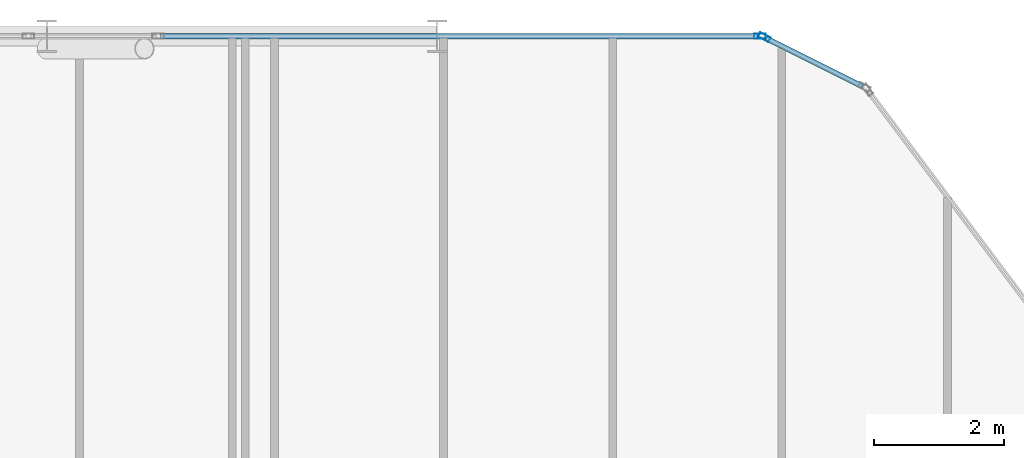
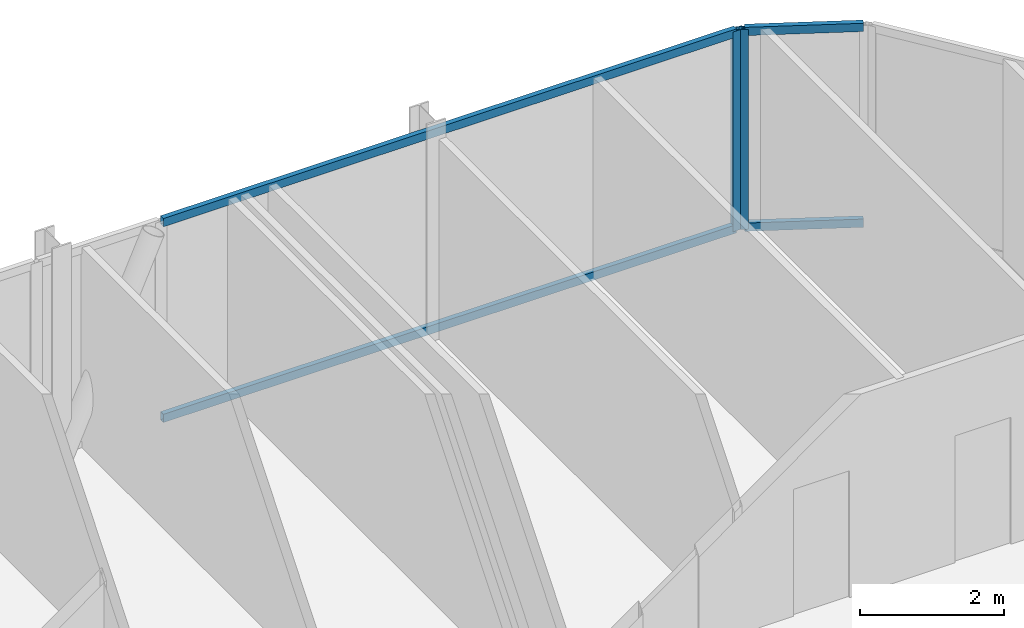
# One storey, part 21 of 32: 6 members, 2 elements without a shape of their own.
"""IFC4 building model written with IfcOpenShell, lengths in metres."""

from ifc_helpers import new_model, si_unit, direction, frame, origin, origin_2d, place, context, subcontext, project, spatial, hollow_rectangle, extrude, material, layer, layer_set, material_profile, profile_set, type_object, element, aggregate, save


model = new_model("IFC4")

# Units and contexts
model_context = context("Model", 3, precision=1e-05, world=origin(), true_north=direction((0.0, 1.0)))
body_context = subcontext(model_context, "Body", "Model", "MODEL_VIEW")
ifc_project = project(units=[si_unit("LENGTHUNIT", "METRE"), si_unit("AREAUNIT", "SQUARE_METRE"), si_unit("VOLUMEUNIT", "CUBIC_METRE"), si_unit("PLANEANGLEUNIT", "RADIAN"), si_unit("MASSUNIT", "GRAM", prefix="KILO")], contexts=[model_context])

# Site, building, storey
site_placement = place(None, origin())
site = spatial("IfcSite", under=ifc_project, at=site_placement, CompositionType="ELEMENT")
building_placement = place(site_placement, origin())
building = spatial("IfcBuilding", under=site, at=building_placement, Name="Keshet Zoharim Tower", CompositionType="ELEMENT")
storey_placement = place(building_placement, frame((0.0, 0.0, 152.0)))
storey = spatial("IfcBuildingStorey", under=building, at=storey_placement, Name="L37", CompositionType="ELEMENT", Elevation=152.0)

# Curtain wall, member
ifc_material = material(Name="Aluminium 6063-T6", Category="aluminium")
ifc_layer = layer(ifc_material, 0.159912109375)
ifc_layer_set = layer_set([ifc_layer], Name="Aluminium 6063-T6")
curtain_wall_type = type_object("IfcCurtainWallType", Name="CW-SYS-03", PredefinedType="NOTDEFINED", material=ifc_layer_set)
curtain_wall_1_placement = place(storey_placement, origin())
curtain_wall_1 = element("IfcCurtainWall", 1, at=curtain_wall_1_placement, inside=storey, type_object=curtain_wall_type, Name="L37 Unitised Curtain Wall 13 Part 5", PredefinedType="NOTDEFINED")
ifc_material_profile_1 = material_profile(ifc_material, hollow_rectangle(XDim=0.080078125, YDim=0.179931640625, WallThickness=0.00439453125, at=origin_2d()), Name="MUL-80x180")
ifc_profile_set_1 = profile_set([ifc_material_profile_1], Name="Aluminium 6063-T6")
member_type_1 = type_object("IfcMemberType", Name="CWM-M18", PredefinedType="MULLION", material=ifc_profile_set_1)
member_1_placement = place(storey_placement, frame((49.965087890625, 53.89990234375, 0.0), z_axis=(0.0, 0.0, 1.0), x_axis=(0.0, 1.0, 0.0)))
member_1 = element("IfcMember", 2, at=member_1_placement, type_object=member_type_1, Name="CW-03 mullion 2", PredefinedType="MULLION", context=body_context, shape_type="SweptSolid", body=[
    extrude(hollow_rectangle(XDim=0.080078125, YDim=0.179931640625, WallThickness=0.00439453125, at=origin_2d()), origin(), (0.0, 0.0, 1.0), 3.385009765625),
])

curtain_wall_2_placement = place(storey_placement, origin())
curtain_wall_2 = element("IfcCurtainWall", 3, at=curtain_wall_2_placement, inside=storey, type_object=curtain_wall_type, Name="L37 Unitised Curtain Wall 14", PredefinedType="NOTDEFINED")
member_2_placement = place(storey_placement, frame((50.03125, 53.88427734375, 0.0), z_axis=(0.0, 0.0, 1.0), x_axis=(0.447213595499, 0.894427191001, 0.0)))
member_2 = element("IfcMember", 4, at=member_2_placement, type_object=member_type_1, Name="CW-03 mullion 1", PredefinedType="MULLION", context=body_context, shape_type="SweptSolid", body=[
    extrude(hollow_rectangle(XDim=0.080078125, YDim=0.179931640625, WallThickness=0.00439453125, at=origin_2d()), origin(), (0.0, 0.0, 1.0), 3.385009765625),
])

# Member
ifc_material_profile_2 = material_profile(ifc_material, hollow_rectangle(XDim=0.080078125, YDim=0.139892578125, WallThickness=0.00390625, at=origin_2d()), Name="TRN-80x140")
ifc_profile_set_2 = profile_set([ifc_material_profile_2], Name="Aluminium 6063-T6")
member_type_2 = type_object("IfcMemberType", Name="CWT-T14", PredefinedType="USERDEFINED", material=ifc_profile_set_2)
member_3_placement = place(storey_placement, frame((40.748046875, 53.89990234375, 0.034912109375), z_axis=(1.0, 0.0, 0.0), x_axis=(0.0, 1.0, 0.0)))
member_3 = element("IfcMember", 5, at=member_3_placement, type_object=member_type_2, Name="CW-03 transom 1.1", ObjectType="TRANSOM", PredefinedType="USERDEFINED", context=body_context, shape_type="SweptSolid", body=[
    extrude(hollow_rectangle(XDim=0.080078125, YDim=0.139892578125, WallThickness=0.00390625, at=origin_2d()), origin(), (0.0, 0.0, 1.0), 9.181884765625),
])

member_4_placement = place(storey_placement, frame((40.748046875, 53.89990234375, 3.35009765625), z_axis=(1.0, 0.0, 0.0), x_axis=(0.0, 1.0, 0.0)))
member_4 = element("IfcMember", 6, at=member_4_placement, type_object=member_type_2, Name="CW-03 transom 1.2", ObjectType="TRANSOM", PredefinedType="USERDEFINED", context=body_context, shape_type="SweptSolid", body=[
    extrude(hollow_rectangle(XDim=0.080078125, YDim=0.139892578125, WallThickness=0.00390625, at=origin_2d()), origin(), (0.0, 0.0, 1.0), 9.181884765625),
])

aggregate(curtain_wall_1, [member_1, member_3, member_4])

member_5_placement = place(storey_placement, frame((50.0625, 53.86865234375, 0.034912109375), z_axis=(0.894456801911, -0.447154368775, 0.0), x_axis=(0.447154368775, 0.894456801911, 0.0)))
member_5 = element("IfcMember", 7, at=member_5_placement, type_object=member_type_2, Name="CW-03 transom 1.1", ObjectType="TRANSOM", PredefinedType="USERDEFINED", context=body_context, shape_type="SweptSolid", body=[
    extrude(hollow_rectangle(XDim=0.080078125, YDim=0.139892578125, WallThickness=0.00390625, at=origin_2d()), origin(), (0.0, 0.0, 1.0), 1.64892578125),
])

member_6_placement = place(storey_placement, frame((50.0625, 53.86865234375, 3.35009765625), z_axis=(0.894456801911, -0.447154368775, 0.0), x_axis=(0.447154368775, 0.894456801911, 0.0)))
member_6 = element("IfcMember", 8, at=member_6_placement, type_object=member_type_2, Name="CW-03 transom 1.2", ObjectType="TRANSOM", PredefinedType="USERDEFINED", context=body_context, shape_type="SweptSolid", body=[
    extrude(hollow_rectangle(XDim=0.080078125, YDim=0.139892578125, WallThickness=0.00390625, at=origin_2d()), origin(), (0.0, 0.0, 1.0), 1.64892578125),
])

aggregate(curtain_wall_2, [member_2, member_5, member_6])

save(model, "model.ifc")
